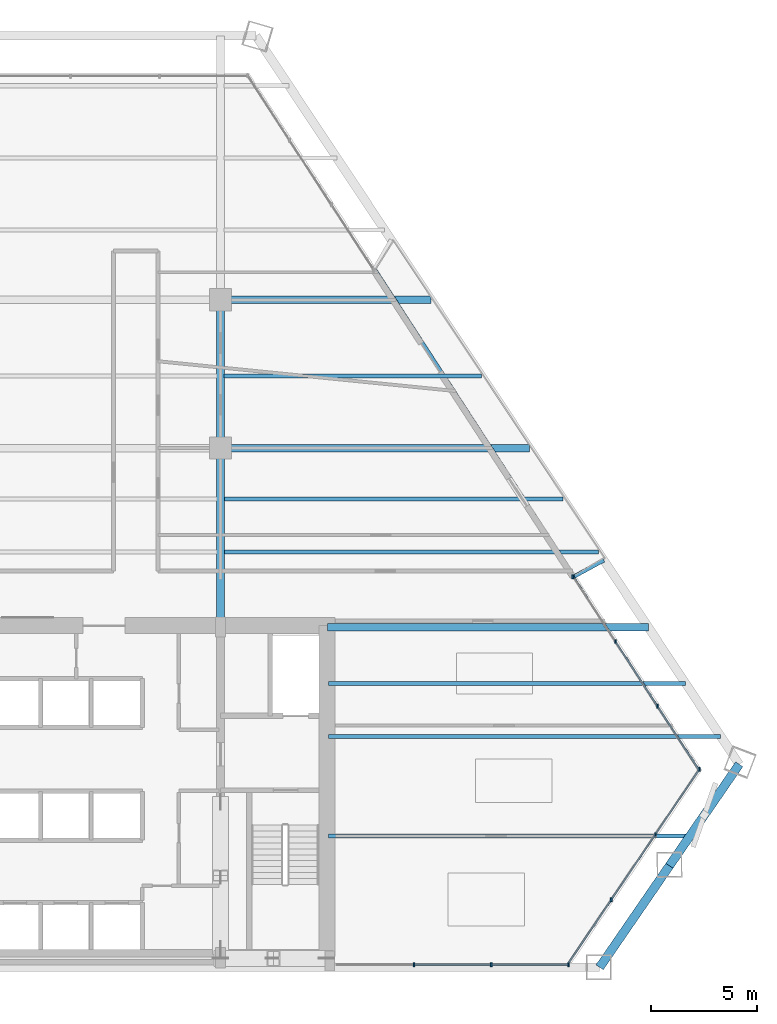
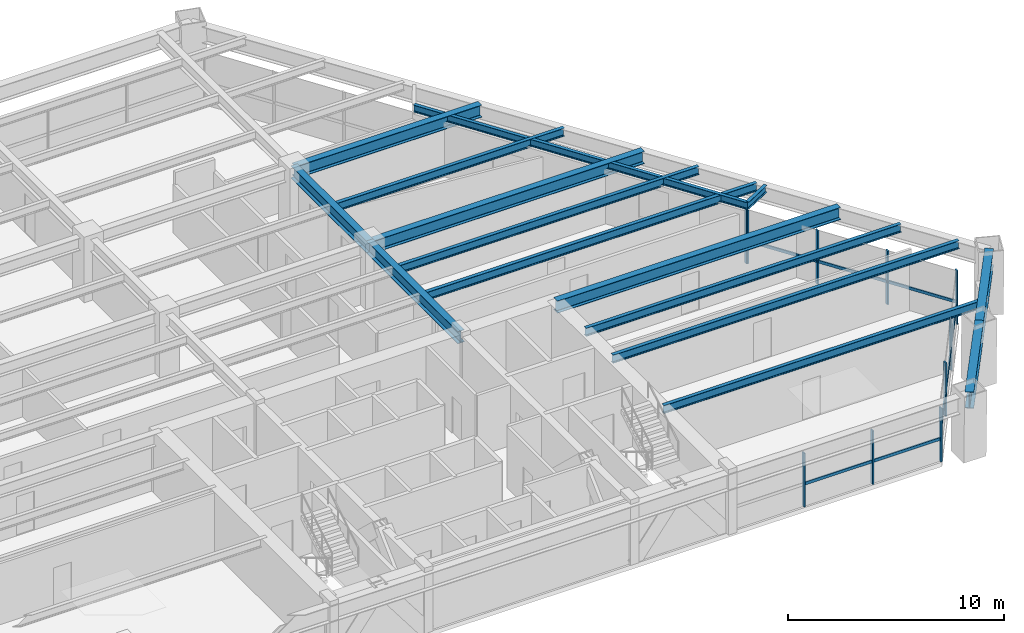
# One storey, part 6 of 14: 18 members, 15 beams, 3 elements without a shape of their own.
"""IFC4 building model written with IfcOpenShell, lengths in metres."""

from ifc_helpers import new_model, si_unit, direction, frame, origin, origin_2d, place, context, subcontext, project, spatial, rectangle, i_section, extrude, source, transform, mapped, material, material_profile, profile_set, type_object, type_shapes, element, aggregate, save


model = new_model("IFC4")

# Units and contexts
model_context = context("Model", 3, precision=1e-05, world=origin(), true_north=direction((0.0, 1.0)))
body_context = subcontext(model_context, "Body", "Model", "MODEL_VIEW")
ifc_project = project(units=[si_unit("LENGTHUNIT", "METRE"), si_unit("AREAUNIT", "SQUARE_METRE"), si_unit("VOLUMEUNIT", "CUBIC_METRE"), si_unit("PLANEANGLEUNIT", "RADIAN"), si_unit("MASSUNIT", "GRAM", prefix="KILO")], contexts=[model_context])

# Site, building, storey
site_placement = place(None, origin())
site = spatial("IfcSite", under=ifc_project, at=site_placement, CompositionType="ELEMENT")
building_placement = place(site_placement, origin())
building = spatial("IfcBuilding", under=site, at=building_placement, Name="Varnakhor Terracotta Tower", CompositionType="ELEMENT")
storey_placement = place(building_placement, frame((0.0, 0.0, 87.699951171875)))
storey = spatial("IfcBuildingStorey", under=building, at=storey_placement, Name="L21", CompositionType="ELEMENT", Elevation=87.699951171875)

# Beams
ifc_material_1 = material(Name="Steel S355", Category="steel")
ifc_material_profile_1 = material_profile(ifc_material_1, i_section(OverallWidth=0.35498046875, OverallDepth=0.695068359375, WebThickness=0.014892578125, FlangeThickness=0.02490234375, FilletRadius=0.01806640625, at=origin_2d()), Name="W27X146")
ifc_profile_set_1 = profile_set([ifc_material_profile_1], Name="Steel S355")
beam_type_1 = type_object("IfcBeamType", Name="BM-W27X146", PredefinedType="BEAM", material=ifc_profile_set_1)
shared_shape_1 = source(origin(), body_context, "Body", "SweptSolid", [
    extrude(i_section(OverallWidth=0.35498046875, OverallDepth=0.695068359375, WebThickness=0.014892578125, FlangeThickness=0.02490234375, FilletRadius=0.01806640625, at=origin_2d()), origin(), (0.0, 0.0, 1.0), 8.449951171875),
])
type_shapes(beam_type_1, [shared_shape_1])
beam_1_placement = place(storey_placement, frame((5.5, 16.050048828125, 3.1025390625), z_axis=(0.0, 1.0, 0.0), x_axis=(-1.0, 0.0, 0.0)))
element("IfcBeam", 1, at=beam_1_placement, inside=storey, type_object=beam_type_1, Name="L21 Primary Girder NS1-E", PredefinedType="BEAM", context=body_context, shape_type="MappedRepresentation", body=[
    mapped(shared_shape_1, transform((0.0, 0.0, 0.0), scale=1.0)),
])
shared_shape_2 = source(origin(), body_context, "Body", "SweptSolid", [
    extrude(i_section(OverallWidth=0.35498046875, OverallDepth=0.695068359375, WebThickness=0.014892578125, FlangeThickness=0.02490234375, FilletRadius=0.01806640625, at=origin_2d()), origin(), (0.0, 0.0, 1.0), 7.0),
])
beam_2_placement = place(storey_placement, frame((5.5, 24.5, 3.1025390625), z_axis=(0.0, 1.0, 0.0), x_axis=(-1.0, 0.0, 0.0)))
element("IfcBeam", 2, at=beam_2_placement, inside=storey, type_object=beam_type_1, Name="L21 Primary Girder NS2-E", PredefinedType="BEAM", context=body_context, shape_type="MappedRepresentation", body=[
    mapped(shared_shape_2, transform((0.0, 0.0, 0.0), scale=1.0)),
])
ifc_material_profile_2 = material_profile(ifc_material_1, i_section(OverallWidth=0.41796875, OverallDepth=0.927001953125, WebThickness=0.01904296875, FlangeThickness=0.031982421875, FilletRadius=0.01806640625, at=origin_2d()), Name="W36X231")
ifc_profile_set_2 = profile_set([ifc_material_profile_2], Name="Steel S355")
beam_type_2 = type_object("IfcBeamType", Name="BM-W36X231", PredefinedType="BEAM", material=ifc_profile_set_2)
shared_shape_3 = source(origin(), body_context, "Body", "SweptSolid", [
    extrude(i_section(OverallWidth=0.41796875, OverallDepth=0.927001953125, WebThickness=0.01904296875, FlangeThickness=0.031982421875, FilletRadius=0.01806640625, at=origin_2d()), origin(), (0.0, 0.0, 1.0), 5.8134765625),
])
beam_3_placement = place(storey_placement, frame((23.3916015625, 0.0, 2.986572265625), z_axis=(0.566650014334, 0.823958591954, 0.0), x_axis=(-0.823958591954, 0.566650014334, 0.0)))
element("IfcBeam", 3, at=beam_3_placement, inside=storey, type_object=beam_type_2, Name="L21 Perimeter Spandrel 2", PredefinedType="BEAM", context=body_context, shape_type="MappedRepresentation", body=[
    mapped(shared_shape_3, transform((0.0, 0.0, 0.0), scale=1.0)),
])
shared_shape_4 = source(origin(), body_context, "Body", "SweptSolid", [
    extrude(i_section(OverallWidth=0.41796875, OverallDepth=0.927001953125, WebThickness=0.01904296875, FlangeThickness=0.031982421875, FilletRadius=0.01806640625, at=origin_2d()), origin(), (0.0, 0.0, 1.0), 5.813232421875),
])
beam_4_placement = place(storey_placement, frame((26.685791015625, 4.7900390625, 2.986572265625), z_axis=(0.566592987645, 0.823997807249, 0.0), x_axis=(-0.823997807249, 0.566592987645, 0.0)))
element("IfcBeam", 4, at=beam_4_placement, inside=storey, type_object=beam_type_2, Name="L21 Perimeter Spandrel 3", PredefinedType="BEAM", context=body_context, shape_type="MappedRepresentation", body=[
    mapped(shared_shape_4, transform((0.0, 0.0, 0.0), scale=1.0)),
])
ifc_material_profile_3 = material_profile(ifc_material_1, i_section(OverallWidth=0.179931640625, OverallDepth=0.39990234375, WebThickness=0.008544921875, FlangeThickness=0.013427734375, FilletRadius=0.01806640625, at=origin_2d()), Name="IPE400")
ifc_profile_set_3 = profile_set([ifc_material_profile_3], Name="Steel S355")
beam_type_3 = type_object("IfcBeamType", Name="JST-IPE400", PredefinedType="JOIST", material=ifc_profile_set_3)
shared_shape_5 = source(origin(), body_context, "Body", "SweptSolid", [
    extrude(i_section(OverallWidth=0.179931640625, OverallDepth=0.39990234375, WebThickness=0.008544921875, FlangeThickness=0.013427734375, FilletRadius=0.01806640625, at=origin_2d()), origin(), (0.0, 0.0, 1.0), 17.3095703125),
])
beam_5_placement = place(storey_placement, frame((22.17724609375, 18.4384765625, 3.25), z_axis=(-0.544185470626, 0.838964941794, 0.0), x_axis=(-0.838964941794, -0.544185470626, 0.0)))
element("IfcBeam", 5, at=beam_5_placement, inside=storey, type_object=beam_type_3, Name="L21 Loggia Edge Beam 1", PredefinedType="JOIST", context=body_context, shape_type="MappedRepresentation", body=[
    mapped(shared_shape_5, transform((0.0, 0.0, 0.0), scale=1.0)),
])
shared_shape_6 = source(origin(), body_context, "Body", "SweptSolid", [
    extrude(i_section(OverallWidth=0.35498046875, OverallDepth=0.695068359375, WebThickness=0.014892578125, FlangeThickness=0.02490234375, FilletRadius=0.01806640625, at=origin_2d()), origin(), (0.0, 0.0, 1.0), 15.135986328125),
])
beam_6_placement = place(storey_placement, frame((10.550048828125, 16.050048828125, 3.1025390625), z_axis=(1.0, 0.0, 0.0), x_axis=(0.0, 1.0, 0.0)))
element("IfcBeam", 6, at=beam_6_placement, inside=storey, type_object=beam_type_1, Name="L21 Wing Girder E", PredefinedType="BEAM", context=body_context, shape_type="MappedRepresentation", body=[
    mapped(shared_shape_6, transform((0.0, 0.0, 0.0), scale=1.0)),
])
shared_shape_7 = source(origin(), body_context, "Body", "SweptSolid", [
    extrude(i_section(OverallWidth=0.35498046875, OverallDepth=0.695068359375, WebThickness=0.014892578125, FlangeThickness=0.02490234375, FilletRadius=0.01806640625, at=origin_2d()), origin(), (0.0, 0.0, 1.0), 14.57861328125),
])
beam_7_placement = place(storey_placement, frame((5.5, 24.5, 3.1025390625), z_axis=(1.0, 0.0, 0.0), x_axis=(0.0, 1.0, 0.0)))
element("IfcBeam", 7, at=beam_7_placement, inside=storey, type_object=beam_type_1, Name="L21 Primary Girder EW2-3", PredefinedType="BEAM", context=body_context, shape_type="MappedRepresentation", body=[
    mapped(shared_shape_7, transform((0.0, 0.0, 0.0), scale=1.0)),
])
shared_shape_8 = source(origin(), body_context, "Body", "SweptSolid", [
    extrude(i_section(OverallWidth=0.35498046875, OverallDepth=0.695068359375, WebThickness=0.014892578125, FlangeThickness=0.02490234375, FilletRadius=0.01806640625, at=origin_2d()), origin(), (0.0, 0.0, 1.0), 9.93310546875),
])
beam_8_placement = place(storey_placement, frame((5.5, 31.5, 3.1025390625), z_axis=(1.0, 0.0, 0.0), x_axis=(0.0, 1.0, 0.0)))
element("IfcBeam", 8, at=beam_8_placement, inside=storey, type_object=beam_type_1, Name="L21 Primary Girder EW3-3", PredefinedType="BEAM", context=body_context, shape_type="MappedRepresentation", body=[
    mapped(shared_shape_8, transform((0.0, 0.0, 0.0), scale=1.0)),
])
ifc_material_profile_4 = material_profile(ifc_material_1, i_section(OverallWidth=0.19189453125, OverallDepth=0.462890625, WebThickness=0.010498046875, FlangeThickness=0.017578125, FilletRadius=0.01806640625, at=origin_2d()), Name="W18X60")
ifc_profile_set_4 = profile_set([ifc_material_profile_4], Name="Steel S355")
beam_type_4 = type_object("IfcBeamType", Name="JST-W18X60", PredefinedType="JOIST", material=ifc_profile_set_4)
shared_shape_9 = source(origin(), body_context, "Body", "SweptSolid", [
    extrude(i_section(OverallWidth=0.19189453125, OverallDepth=0.462890625, WebThickness=0.010498046875, FlangeThickness=0.017578125, FilletRadius=0.01806640625, at=origin_2d()), origin(), (0.0, 0.0, 1.0), 17.05517578125),
])
beam_9_placement = place(storey_placement, frame((10.60009765625, 6.199951171875, 3.218505859375), z_axis=(1.0, 0.0, 0.0), x_axis=(0.0, 1.0, 0.0)))
element("IfcBeam", 9, at=beam_9_placement, inside=storey, type_object=beam_type_4, Name="L21 Floor Joist E1", PredefinedType="JOIST", context=body_context, shape_type="MappedRepresentation", body=[
    mapped(shared_shape_9, transform((0.0, 0.0, 0.0), scale=1.0)),
])
shared_shape_10 = source(origin(), body_context, "Body", "SweptSolid", [
    extrude(i_section(OverallWidth=0.19189453125, OverallDepth=0.462890625, WebThickness=0.010498046875, FlangeThickness=0.017578125, FilletRadius=0.01806640625, at=origin_2d()), origin(), (0.0, 0.0, 1.0), 18.503662109375),
])
beam_10_placement = place(storey_placement, frame((10.60009765625, 10.89990234375, 3.218505859375), z_axis=(1.0, 0.0, 0.0), x_axis=(0.0, 1.0, 0.0)))
element("IfcBeam", 10, at=beam_10_placement, inside=storey, type_object=beam_type_4, Name="L21 Floor Joist E2", PredefinedType="JOIST", context=body_context, shape_type="MappedRepresentation", body=[
    mapped(shared_shape_10, transform((0.0, 0.0, 0.0), scale=1.0)),
])
shared_shape_11 = source(origin(), body_context, "Body", "SweptSolid", [
    extrude(i_section(OverallWidth=0.19189453125, OverallDepth=0.462890625, WebThickness=0.010498046875, FlangeThickness=0.017578125, FilletRadius=0.01806640625, at=origin_2d()), origin(), (0.0, 0.0, 1.0), 16.844482421875),
])
beam_11_placement = place(storey_placement, frame((10.60009765625, 13.39990234375, 3.218505859375), z_axis=(1.0, 0.0, 0.0), x_axis=(0.0, 1.0, 0.0)))
element("IfcBeam", 11, at=beam_11_placement, inside=storey, type_object=beam_type_4, Name="L21 Floor Joist E3", PredefinedType="JOIST", context=body_context, shape_type="MappedRepresentation", body=[
    mapped(shared_shape_11, transform((0.0, 0.0, 0.0), scale=1.0)),
])
shared_shape_12 = source(origin(), body_context, "Body", "SweptSolid", [
    extrude(i_section(OverallWidth=0.19189453125, OverallDepth=0.462890625, WebThickness=0.010498046875, FlangeThickness=0.017578125, FilletRadius=0.01806640625, at=origin_2d()), origin(), (0.0, 0.0, 1.0), 17.656494140625),
])
beam_12_placement = place(storey_placement, frame((5.673583984375, 19.60009765625, 3.218505859375), z_axis=(1.0, 0.0, 0.0), x_axis=(0.0, 1.0, 0.0)))
element("IfcBeam", 12, at=beam_12_placement, inside=storey, type_object=beam_type_4, Name="L21 Composite Floor Joist 4-3", PredefinedType="JOIST", context=body_context, shape_type="MappedRepresentation", body=[
    mapped(shared_shape_12, transform((0.0, 0.0, 0.0), scale=1.0)),
])
shared_shape_13 = source(origin(), body_context, "Body", "SweptSolid", [
    extrude(i_section(OverallWidth=0.19189453125, OverallDepth=0.462890625, WebThickness=0.010498046875, FlangeThickness=0.017578125, FilletRadius=0.01806640625, at=origin_2d()), origin(), (0.0, 0.0, 1.0), 15.99755859375),
])
beam_13_placement = place(storey_placement, frame((5.673583984375, 22.10009765625, 3.218505859375), z_axis=(1.0, 0.0, 0.0), x_axis=(0.0, 1.0, 0.0)))
element("IfcBeam", 13, at=beam_13_placement, inside=storey, type_object=beam_type_4, Name="L21 Composite Floor Joist 5-3", PredefinedType="JOIST", context=body_context, shape_type="MappedRepresentation", body=[
    mapped(shared_shape_13, transform((0.0, 0.0, 0.0), scale=1.0)),
])
shared_shape_14 = source(origin(), body_context, "Body", "SweptSolid", [
    extrude(i_section(OverallWidth=0.19189453125, OverallDepth=0.462890625, WebThickness=0.010498046875, FlangeThickness=0.017578125, FilletRadius=0.01806640625, at=origin_2d()), origin(), (0.0, 0.0, 1.0), 12.148681640625),
])
beam_14_placement = place(storey_placement, frame((5.673583984375, 27.89990234375, 3.218505859375), z_axis=(1.0, 0.0, 0.0), x_axis=(0.0, 1.0, 0.0)))
element("IfcBeam", 14, at=beam_14_placement, inside=storey, type_object=beam_type_4, Name="L21 Composite Floor Joist 6-3", PredefinedType="JOIST", context=body_context, shape_type="MappedRepresentation", body=[
    mapped(shared_shape_14, transform((0.0, 0.0, 0.0), scale=1.0)),
])

# Curtain wall, members
ifc_material_2 = material(Name="Anodised Aluminium Curtain Wall System", Category="aluminium")
curtain_wall_type = type_object("IfcCurtainWallType", Name="CW-SYS-LOW-OFFICE", PredefinedType="NOTDEFINED", material=ifc_material_2)
curtain_wall_1_placement = place(storey_placement, origin())
curtain_wall_1 = element("IfcCurtainWall", 15, at=curtain_wall_1_placement, inside=storey, type_object=curtain_wall_type, Name="L21 E Facet Curtain Wall 2", PredefinedType="NOTDEFINED")
ifc_material_3 = material(Name="Anodised Aluminium 6063-T6", Category="aluminium")
ifc_material_profile_5 = material_profile(ifc_material_3, rectangle(XDim=0.074951171875, YDim=0.18505859375, at=origin_2d()), Name="ALU MULLION 75x185")
ifc_profile_set_5 = profile_set([ifc_material_profile_5], Name="Anodised Aluminium 6063-T6")
member_type_1 = type_object("IfcMemberType", Name="CWM-02", PredefinedType="MULLION", material=ifc_profile_set_5)
shared_shape_15 = source(origin(), body_context, "Body", "SweptSolid", [
    extrude(rectangle(XDim=0.074951171875, YDim=0.18505859375, at=origin_2d()), origin(), (0.0, 0.0, 1.0), 3.030029296875),
])
type_shapes(member_type_1, [shared_shape_15])
member_1_placement = place(storey_placement, frame((22.15380859375, 18.424072265625, 0.0), z_axis=(0.0, 0.0, 1.0), x_axis=(1.0, 0.0, 0.0)))
member_1 = element("IfcMember", 16, at=member_1_placement, type_object=member_type_1, Name="L21 E Facet Curtain Wall 2 Mullion 1", PredefinedType="MULLION", context=body_context, shape_type="MappedRepresentation", body=[
    mapped(shared_shape_15, transform((0.0, 0.0, 0.0), scale=1.0)),
])
member_2_placement = place(storey_placement, frame((24.136962890625, 15.373291015625, 0.0), z_axis=(0.0, 0.0, 1.0), x_axis=(1.0, 0.0, 0.0)))
member_2 = element("IfcMember", 17, at=member_2_placement, type_object=member_type_1, Name="L21 E Facet Curtain Wall 2 Mullion 2", PredefinedType="MULLION", context=body_context, shape_type="MappedRepresentation", body=[
    mapped(shared_shape_15, transform((0.0, 0.0, 0.0), scale=1.0)),
])
member_3_placement = place(storey_placement, frame((26.120361328125, 12.322509765625, 0.0), z_axis=(0.0, 0.0, 1.0), x_axis=(1.0, 0.0, 0.0)))
member_3 = element("IfcMember", 18, at=member_3_placement, type_object=member_type_1, Name="L21 E Facet Curtain Wall 2 Mullion 3", PredefinedType="MULLION", context=body_context, shape_type="MappedRepresentation", body=[
    mapped(shared_shape_15, transform((0.0, 0.0, 0.0), scale=1.0)),
])
member_4_placement = place(storey_placement, frame((22.12060546875, 18.438232421875, 0.0), z_axis=(0.0, 0.0, 1.0), x_axis=(1.0, 0.0, 0.0)))
member_4 = element("IfcMember", 19, at=member_4_placement, type_object=member_type_1, Name="L21 E Loggia Jamb Closure Mullion 2", PredefinedType="MULLION", context=body_context, shape_type="MappedRepresentation", body=[
    mapped(shared_shape_15, transform((0.0, 0.0, 0.0), scale=1.0)),
])

curtain_wall_2_placement = place(storey_placement, origin())
curtain_wall_2 = element("IfcCurtainWall", 20, at=curtain_wall_2_placement, inside=storey, type_object=curtain_wall_type, Name="L21 Facet Curtain Wall 4", PredefinedType="NOTDEFINED")
member_5_placement = place(storey_placement, frame((28.104248046875, 9.354248046875, 0.0), z_axis=(0.0, 0.0, 1.0), x_axis=(1.0, 0.0, 0.0)))
member_5 = element("IfcMember", 21, at=member_5_placement, type_object=member_type_1, Name="L21 Facet Curtain Wall 4 Mullion 1", PredefinedType="MULLION", context=body_context, shape_type="MappedRepresentation", body=[
    mapped(shared_shape_15, transform((0.0, 0.0, 0.0), scale=1.0)),
])
member_6_placement = place(storey_placement, frame((26.02099609375, 6.266845703125, 0.0), z_axis=(0.0, 0.0, 1.0), x_axis=(1.0, 0.0, 0.0)))
member_6 = element("IfcMember", 22, at=member_6_placement, type_object=member_type_1, Name="L21 Facet Curtain Wall 4 Mullion 2", PredefinedType="MULLION", context=body_context, shape_type="MappedRepresentation", body=[
    mapped(shared_shape_15, transform((0.0, 0.0, 0.0), scale=1.0)),
])
member_7_placement = place(storey_placement, frame((23.937744140625, 3.179443359375, 0.0), z_axis=(0.0, 0.0, 1.0), x_axis=(1.0, 0.0, 0.0)))
member_7 = element("IfcMember", 23, at=member_7_placement, type_object=member_type_1, Name="L21 Facet Curtain Wall 4 Mullion 3", PredefinedType="MULLION", context=body_context, shape_type="MappedRepresentation", body=[
    mapped(shared_shape_15, transform((0.0, 0.0, 0.0), scale=1.0)),
])

curtain_wall_3_placement = place(storey_placement, origin())
curtain_wall_3 = element("IfcCurtainWall", 24, at=curtain_wall_3_placement, inside=storey, type_object=curtain_wall_type, Name="L21 South Wing Curtain Wall SSE", PredefinedType="NOTDEFINED")
member_8_placement = place(storey_placement, frame((21.927001953125, 0.1201171875, 0.0), z_axis=(0.0, 0.0, 1.0), x_axis=(1.0, 0.0, 0.0)))
member_8 = element("IfcMember", 25, at=member_8_placement, type_object=member_type_1, Name="L21 South Wing Curtain Wall SSE Mullion 1", PredefinedType="MULLION", context=body_context, shape_type="MappedRepresentation", body=[
    mapped(shared_shape_15, transform((0.0, 0.0, 0.0), scale=1.0)),
])
member_9_placement = place(storey_placement, frame((18.274658203125, 0.1201171875, 0.0), z_axis=(0.0, 0.0, 1.0), x_axis=(1.0, 0.0, 0.0)))
member_9 = element("IfcMember", 26, at=member_9_placement, type_object=member_type_1, Name="L21 South Wing Curtain Wall SSE Mullion 2", PredefinedType="MULLION", context=body_context, shape_type="MappedRepresentation", body=[
    mapped(shared_shape_15, transform((0.0, 0.0, 0.0), scale=1.0)),
])
member_10_placement = place(storey_placement, frame((14.622314453125, 0.1201171875, 0.0), z_axis=(0.0, 0.0, 1.0), x_axis=(1.0, 0.0, 0.0)))
member_10 = element("IfcMember", 27, at=member_10_placement, type_object=member_type_1, Name="L21 South Wing Curtain Wall SSE Mullion 3", PredefinedType="MULLION", context=body_context, shape_type="MappedRepresentation", body=[
    mapped(shared_shape_15, transform((0.0, 0.0, 0.0), scale=1.0)),
])

# Member
ifc_material_profile_6 = material_profile(ifc_material_3, rectangle(XDim=0.074951171875, YDim=0.1650390625, at=origin_2d()), Name="ALU TRANSOM 75x165")
ifc_profile_set_6 = profile_set([ifc_material_profile_6], Name="Anodised Aluminium 6063-T6")
member_type_2 = type_object("IfcMemberType", Name="CWT-02", PredefinedType="USERDEFINED", material=ifc_profile_set_6)
shared_shape_16 = source(origin(), body_context, "Body", "SweptSolid", [
    extrude(rectangle(XDim=0.074951171875, YDim=0.1650390625, at=origin_2d()), origin(), (0.0, 0.0, 1.0), 3.638671875),
])
member_11_placement = place(storey_placement, frame((22.15380859375, 18.424072265625, 1.272705078125), z_axis=(0.545016650667, -0.838425220575, 0.0), x_axis=(0.838425220575, 0.545016650667, 0.0)))
member_11 = element("IfcMember", 28, at=member_11_placement, type_object=member_type_2, Name="L21 E Facet Curtain Wall 2 Transom 1", ObjectType="TRANSOM", PredefinedType="USERDEFINED", context=body_context, shape_type="MappedRepresentation", body=[
    mapped(shared_shape_16, transform((0.0, 0.0, 0.0), scale=1.0)),
])

shared_shape_17 = source(origin(), body_context, "Body", "SweptSolid", [
    extrude(rectangle(XDim=0.074951171875, YDim=0.1650390625, at=origin_2d()), origin(), (0.0, 0.0, 1.0), 3.638916015625),
])
member_12_placement = place(storey_placement, frame((24.136962890625, 15.373291015625, 1.272705078125), z_axis=(0.545063813313, -0.838394560703, 0.0), x_axis=(0.838394560703, 0.545063813313, 0.0)))
member_12 = element("IfcMember", 29, at=member_12_placement, type_object=member_type_2, Name="L21 E Facet Curtain Wall 2 Transom 2", ObjectType="TRANSOM", PredefinedType="USERDEFINED", context=body_context, shape_type="MappedRepresentation", body=[
    mapped(shared_shape_17, transform((0.0, 0.0, 0.0), scale=1.0)),
])

member_13_placement = place(storey_placement, frame((26.120361328125, 12.322509765625, 1.272705078125), z_axis=(0.544985992361, -0.838445149148, 0.0), x_axis=(0.838445149148, 0.544985992361, 0.0)))
member_13 = element("IfcMember", 30, at=member_13_placement, type_object=member_type_2, Name="L21 E Facet Curtain Wall 2 Transom 3", ObjectType="TRANSOM", PredefinedType="USERDEFINED", context=body_context, shape_type="MappedRepresentation", body=[
    mapped(shared_shape_17, transform((0.0, 0.0, 0.0), scale=1.0)),
])

aggregate(curtain_wall_1, [member_1, member_11, member_2, member_12, member_3, member_13, member_4])

shared_shape_18 = source(origin(), body_context, "Body", "SweptSolid", [
    extrude(rectangle(XDim=0.074951171875, YDim=0.1650390625, at=origin_2d()), origin(), (0.0, 0.0, 1.0), 3.724609375),
])
member_14_placement = place(storey_placement, frame((28.104248046875, 9.354248046875, 1.272705078125), z_axis=(-0.559335499752, -0.828941372304, 0.0), x_axis=(0.828941372304, -0.559335499752, 0.0)))
member_14 = element("IfcMember", 31, at=member_14_placement, type_object=member_type_2, Name="L21 Facet Curtain Wall 4 Transom 1", ObjectType="TRANSOM", PredefinedType="USERDEFINED", context=body_context, shape_type="MappedRepresentation", body=[
    mapped(shared_shape_18, transform((0.0, 0.0, 0.0), scale=1.0)),
])

member_15_placement = place(storey_placement, frame((26.02099609375, 6.266845703125, 1.272705078125), z_axis=(-0.559335499752, -0.828941372304, 0.0), x_axis=(0.828941372304, -0.559335499752, 0.0)))
member_15 = element("IfcMember", 32, at=member_15_placement, type_object=member_type_2, Name="L21 Facet Curtain Wall 4 Transom 2", ObjectType="TRANSOM", PredefinedType="USERDEFINED", context=body_context, shape_type="MappedRepresentation", body=[
    mapped(shared_shape_18, transform((0.0, 0.0, 0.0), scale=1.0)),
])

member_16_placement = place(storey_placement, frame((23.937744140625, 3.179443359375, 1.272705078125), z_axis=(-0.559335499752, -0.828941372304, 0.0), x_axis=(0.828941372304, -0.559335499752, 0.0)))
member_16 = element("IfcMember", 33, at=member_16_placement, type_object=member_type_2, Name="L21 Facet Curtain Wall 4 Transom 3", ObjectType="TRANSOM", PredefinedType="USERDEFINED", context=body_context, shape_type="MappedRepresentation", body=[
    mapped(shared_shape_18, transform((0.0, 0.0, 0.0), scale=1.0)),
])

aggregate(curtain_wall_2, [member_5, member_14, member_6, member_15, member_7, member_16])

shared_shape_19 = source(origin(), body_context, "Body", "SweptSolid", [
    extrude(rectangle(XDim=0.074951171875, YDim=0.1650390625, at=origin_2d()), origin(), (0.0, 0.0, 1.0), 3.65234375),
])
member_17_placement = place(storey_placement, frame((21.927001953125, 0.1201171875, 1.272705078125), z_axis=(-1.0, 0.0, 0.0), x_axis=(0.0, -1.0, 0.0)))
member_17 = element("IfcMember", 34, at=member_17_placement, type_object=member_type_2, Name="L21 South Wing Curtain Wall SSE Transom 1", ObjectType="TRANSOM", PredefinedType="USERDEFINED", context=body_context, shape_type="MappedRepresentation", body=[
    mapped(shared_shape_19, transform((0.0, 0.0, 0.0), scale=1.0)),
])

member_18_placement = place(storey_placement, frame((18.274658203125, 0.1201171875, 1.272705078125), z_axis=(-1.0, 0.0, 0.0), x_axis=(0.0, -1.0, 0.0)))
member_18 = element("IfcMember", 35, at=member_18_placement, type_object=member_type_2, Name="L21 South Wing Curtain Wall SSE Transom 2", ObjectType="TRANSOM", PredefinedType="USERDEFINED", context=body_context, shape_type="MappedRepresentation", body=[
    mapped(shared_shape_19, transform((0.0, 0.0, 0.0), scale=1.0)),
])

aggregate(curtain_wall_3, [member_8, member_17, member_9, member_18, member_10])

# Beam
shared_shape_20 = source(origin(), body_context, "Body", "SweptSolid", [
    extrude(i_section(OverallWidth=0.179931640625, OverallDepth=0.39990234375, WebThickness=0.008544921875, FlangeThickness=0.013427734375, FilletRadius=0.01806640625, at=origin_2d()), origin(), (0.0, 0.0, 1.0), 1.609375),
])
beam_15_placement = place(storey_placement, frame((22.17724609375, 18.4384765625, 3.25), z_axis=(0.878838891869, 0.477118645767, 0.0), x_axis=(-0.477118645767, 0.878838891869, 0.0)))
element("IfcBeam", 36, at=beam_15_placement, inside=storey, type_object=beam_type_3, Name="L22 E Loggia Tie Beam 2", PredefinedType="JOIST", context=body_context, shape_type="MappedRepresentation", body=[
    mapped(shared_shape_20, transform((0.0, 0.0, 0.0), scale=1.0)),
])

save(model, "model.ifc")
